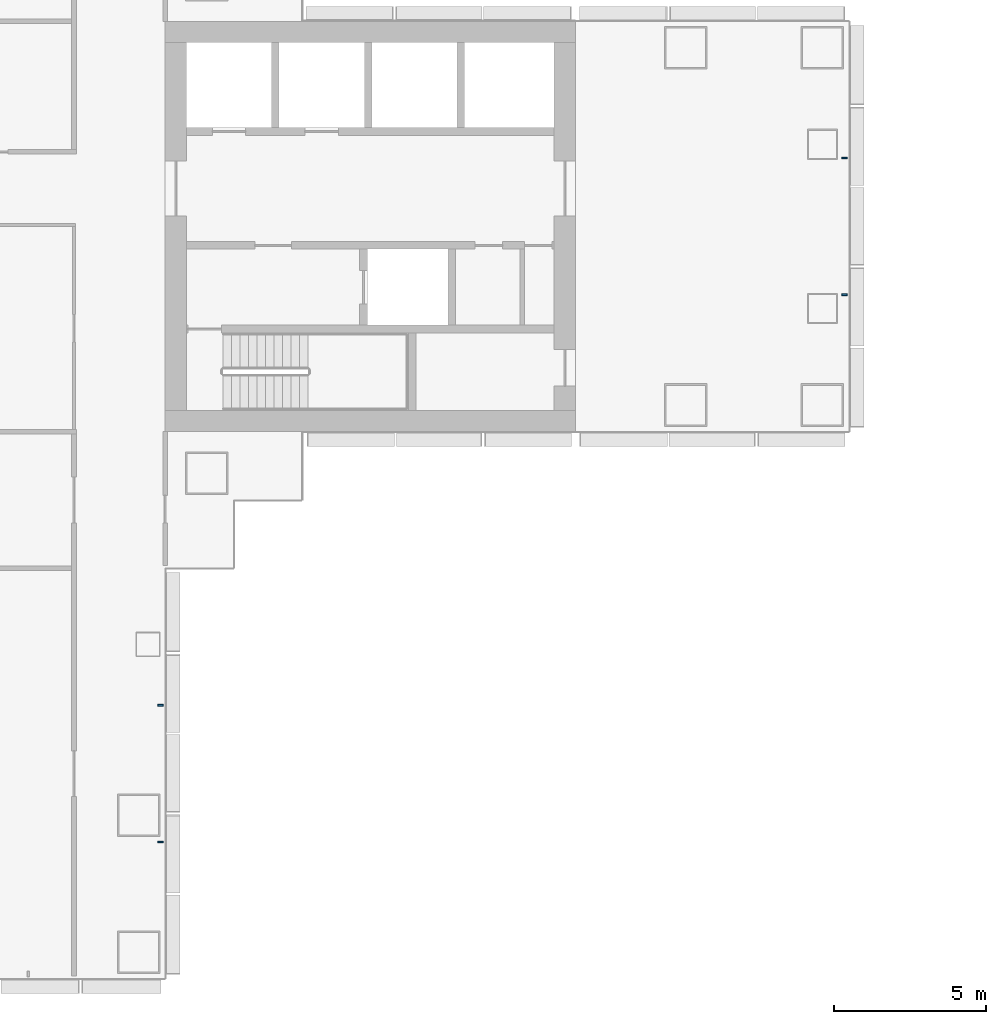
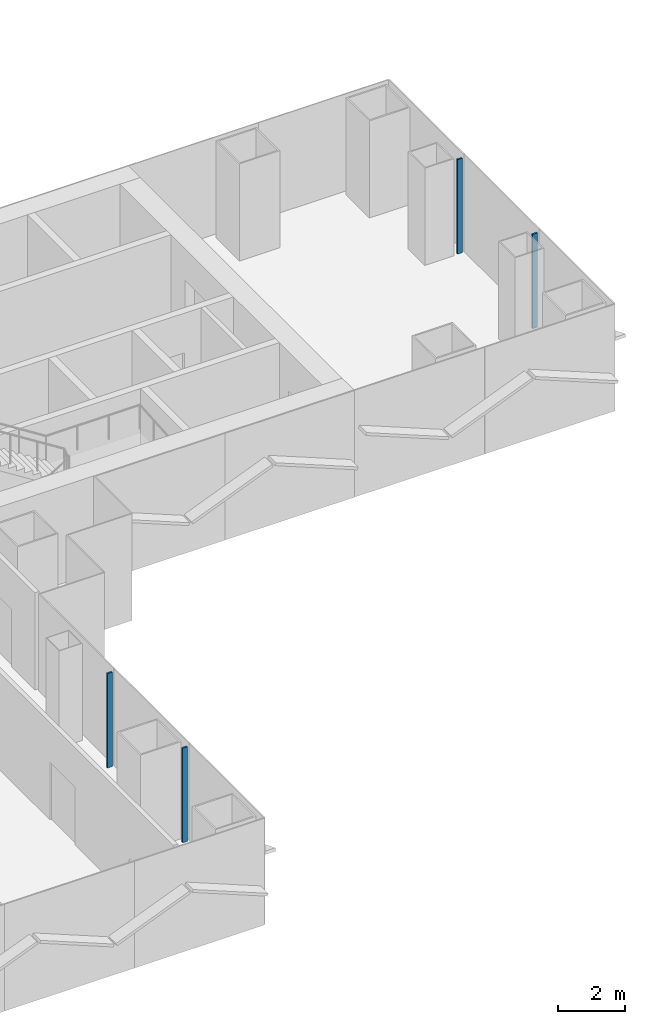
# One storey, part 5 of 21: 4 members, 2 elements without a shape of their own.
"""IFC4 building model written with IfcOpenShell, lengths in metres."""

from ifc_helpers import new_model, si_unit, direction, frame, origin, origin_2d, place, context, subcontext, project, spatial, rectangle, extrude, material, layer, layer_set, material_profile, profile_set, type_object, element, aggregate, save


model = new_model("IFC4")

# Units and contexts
model_context = context("Model", 3, precision=1e-05, world=origin(), true_north=direction((0.0, 1.0)))
body_context = subcontext(model_context, "Body", "Model", "MODEL_VIEW")
ifc_project = project(units=[si_unit("LENGTHUNIT", "METRE"), si_unit("AREAUNIT", "SQUARE_METRE"), si_unit("VOLUMEUNIT", "CUBIC_METRE"), si_unit("PLANEANGLEUNIT", "RADIAN"), si_unit("MASSUNIT", "GRAM", prefix="KILO")], contexts=[model_context])

# Site, building, storey
site_placement = place(None, origin())
site = spatial("IfcSite", under=ifc_project, at=site_placement, CompositionType="ELEMENT")
building_placement = place(site_placement, origin())
building = spatial("IfcBuilding", under=site, at=building_placement, Name="Shamsa Quay Exchange Towers", CompositionType="ELEMENT")
storey_placement = place(building_placement, frame((0.0, 0.0, 57.60009765625)))
storey = spatial("IfcBuildingStorey", under=building, at=storey_placement, Name="L12", CompositionType="ELEMENT", Elevation=57.60009765625)

# Curtain wall, members
ifc_material = material(Name="Aluminium EN AW-6063 T6, black anodised", Category="aluminium")
ifc_layer = layer(ifc_material, 0.280029296875)
ifc_layer_set = layer_set([ifc_layer], Name="CW-1 UNITISED VISION GLASS")
curtain_wall_type = type_object("IfcCurtainWallType", Name="CW-1 UNITISED VISION GLASS", PredefinedType="NOTDEFINED", material=ifc_layer_set)
curtain_wall_1_placement = place(storey_placement, origin())
curtain_wall_1 = element("IfcCurtainWall", 1, at=curtain_wall_1_placement, inside=storey, type_object=curtain_wall_type, Name="CW1 T1-FLK-V-E L12", PredefinedType="NOTDEFINED")
ifc_material_profile = material_profile(ifc_material, rectangle(XDim=0.179931640625, YDim=0.06005859375, at=origin_2d()), Name="MU60x180")
ifc_profile_set = profile_set([ifc_material_profile], Name="Aluminium EN AW-6063 T6, black anodised")
member_type = type_object("IfcMemberType", Name="CW1 MULLION 60x180", PredefinedType="MULLION", material=ifc_profile_set)
member_1_placement = place(storey_placement, frame((-27.14990234375, -20.25, 0.0), z_axis=(0.0, 0.0, 1.0), x_axis=(-1.0, 0.0, 0.0)))
member_1 = element("IfcMember", 2, at=member_1_placement, type_object=member_type, Name="CW1 mullion", PredefinedType="MULLION", context=body_context, shape_type="SweptSolid", body=[
    extrude(rectangle(XDim=0.179931640625, YDim=0.06005859375, at=origin_2d()), origin(), (0.0, 0.0, 1.0), 3.449951171875),
])
member_2_placement = place(storey_placement, frame((-27.14990234375, -15.75, 0.0), z_axis=(0.0, 0.0, 1.0), x_axis=(-1.0, 0.0, 0.0)))
member_2 = element("IfcMember", 3, at=member_2_placement, type_object=member_type, Name="CW1 mullion", PredefinedType="MULLION", context=body_context, shape_type="SweptSolid", body=[
    extrude(rectangle(XDim=0.179931640625, YDim=0.06005859375, at=origin_2d()), origin(), (0.0, 0.0, 1.0), 3.449951171875),
])
aggregate(curtain_wall_1, [member_1, member_2])

curtain_wall_2_placement = place(storey_placement, origin())
curtain_wall_2 = element("IfcCurtainWall", 4, at=curtain_wall_2_placement, inside=storey, type_object=curtain_wall_type, Name="CW1 T1-END-U+ L12", PredefinedType="NOTDEFINED")
member_3_placement = place(storey_placement, frame((-4.64990234375, -2.25, 0.0), z_axis=(0.0, 0.0, 1.0), x_axis=(-1.0, 0.0, 0.0)))
member_3 = element("IfcMember", 5, at=member_3_placement, type_object=member_type, Name="CW1 mullion", PredefinedType="MULLION", context=body_context, shape_type="SweptSolid", body=[
    extrude(rectangle(XDim=0.179931640625, YDim=0.06005859375, at=origin_2d()), origin(), (0.0, 0.0, 1.0), 3.449951171875),
])
member_4_placement = place(storey_placement, frame((-4.64990234375, 2.25, 0.0), z_axis=(0.0, 0.0, 1.0), x_axis=(-1.0, 0.0, 0.0)))
member_4 = element("IfcMember", 6, at=member_4_placement, type_object=member_type, Name="CW1 mullion", PredefinedType="MULLION", context=body_context, shape_type="SweptSolid", body=[
    extrude(rectangle(XDim=0.179931640625, YDim=0.06005859375, at=origin_2d()), origin(), (0.0, 0.0, 1.0), 3.449951171875),
])
aggregate(curtain_wall_2, [member_3, member_4])

save(model, "model.ifc")
